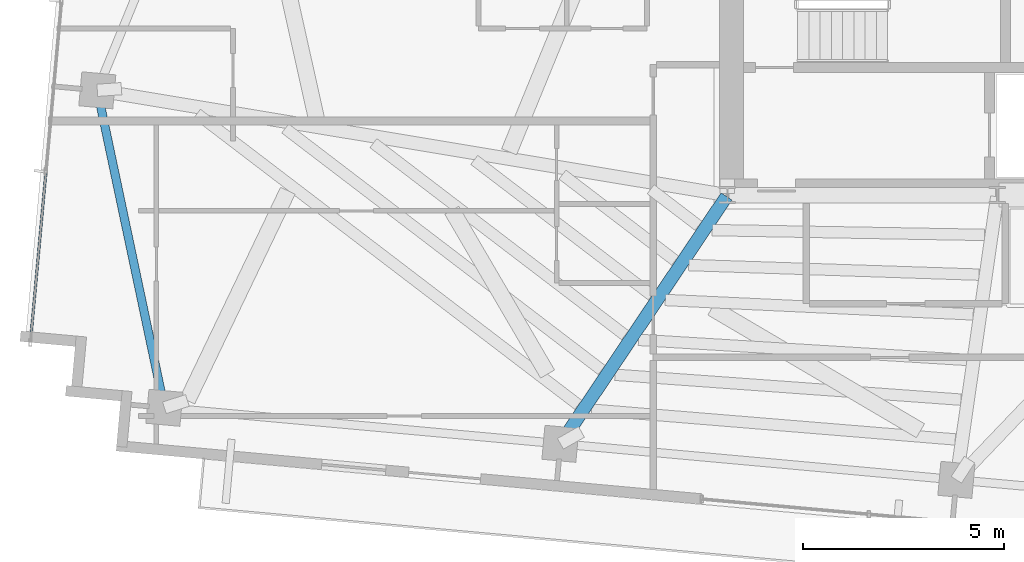
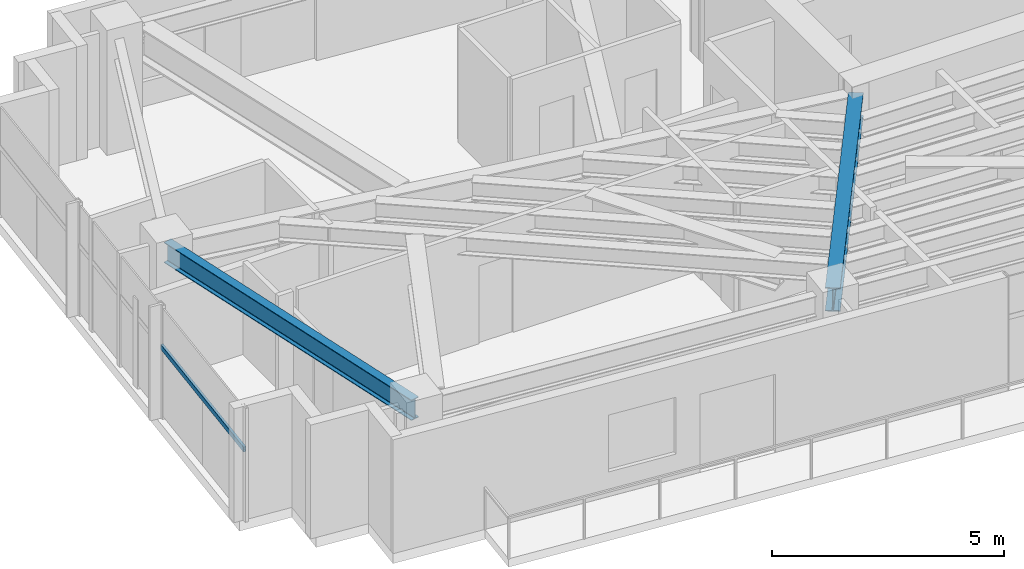
# One storey, part 3 of 22: 2 beams, 1 member, 1 element without a shape of its own.
"""IFC4 building model written with IfcOpenShell, lengths in metres."""

from ifc_helpers import new_model, si_unit, direction, frame, origin, origin_2d, place, context, subcontext, project, spatial, hollow_rectangle, i_section, extrude, source, transform, mapped, material, material_profile, profile_set, type_object, type_shapes, element, aggregate, save


model = new_model("IFC4")

# Units and contexts
model_context = context("Model", 3, precision=1e-05, world=origin(), true_north=direction((0.0, 1.0)))
body_context = subcontext(model_context, "Body", "Model", "MODEL_VIEW")
ifc_project = project(units=[si_unit("LENGTHUNIT", "METRE"), si_unit("AREAUNIT", "SQUARE_METRE"), si_unit("VOLUMEUNIT", "CUBIC_METRE"), si_unit("PLANEANGLEUNIT", "RADIAN"), si_unit("MASSUNIT", "GRAM", prefix="KILO")], contexts=[model_context])

# Site, building, storey
site_placement = place(None, origin())
site = spatial("IfcSite", under=ifc_project, at=site_placement, CompositionType="ELEMENT")
building_placement = place(site_placement, origin())
building = spatial("IfcBuilding", under=site, at=building_placement, Name="Astriad Promenade Condominiums", CompositionType="ELEMENT")
storey_placement = place(building_placement, frame((0.0, 0.0, 256.199951171875)))
storey = spatial("IfcBuildingStorey", under=building, at=storey_placement, Name="L74", CompositionType="ELEMENT", Elevation=256.199951171875)

# Beams
ifc_material_1 = material(Name="Steel ASTM A992 Grade 50", Category="steel")
ifc_material_profile_1 = material_profile(ifc_material_1, i_section(OverallWidth=0.210693359375, OverallDepth=0.53955078125, WebThickness=0.01171875, FlangeThickness=0.018798828125, FilletRadius=0.0166015625, at=origin_2d()), Name="W21X73")
ifc_profile_set_1 = profile_set([ifc_material_profile_1], Name="Steel ASTM A992 Grade 50")
beam_type_1 = type_object("IfcBeamType", Name="STEEL SPANDREL BEAM W21X73", PredefinedType="SPANDREL", material=ifc_profile_set_1)
shared_shape_1 = source(origin(), body_context, "Body", "SweptSolid", [
    extrude(i_section(OverallWidth=0.210693359375, OverallDepth=0.53955078125, WebThickness=0.01171875, FlangeThickness=0.018798828125, FilletRadius=0.0166015625, at=origin_2d()), origin(), (0.0, 0.0, 1.0), 7.99853515625),
])
type_shapes(beam_type_1, [shared_shape_1])
beam_1_placement = place(storey_placement, frame((10.719482421875, 19.97119140625, 2.73046875), z_axis=(0.206793407277, -0.978384631271, 0.0), x_axis=(0.978384631271, 0.206793407277, 0.0)))
element("IfcBeam", 1, at=beam_1_placement, inside=storey, type_object=beam_type_1, Name="Perimeter Spandrel Beam SP-W1-L74", PredefinedType="SPANDREL", context=body_context, shape_type="MappedRepresentation", body=[
    mapped(shared_shape_1, transform((0.0, 0.0, 0.0), scale=1.0)),
])
ifc_material_profile_2 = material_profile(ifc_material_1, i_section(OverallWidth=0.326416015625, OverallDepth=0.621826171875, WebThickness=0.015380859375, FlangeThickness=0.0244140625, FilletRadius=0.017822265625, at=origin_2d()), Name="W24X131")
ifc_profile_set_2 = profile_set([ifc_material_profile_2], Name="Steel ASTM A992 Grade 50")
beam_type_2 = type_object("IfcBeamType", Name="STEEL FLOOR GIRDER W24X131", PredefinedType="BEAM", material=ifc_profile_set_2)
shared_shape_2 = source(origin(), body_context, "Body", "SweptSolid", [
    extrude(i_section(OverallWidth=0.326416015625, OverallDepth=0.621826171875, WebThickness=0.015380859375, FlangeThickness=0.0244140625, FilletRadius=0.017822265625, at=origin_2d()), origin(), (0.0, 0.0, 1.0), 7.378173828125),
])
type_shapes(beam_type_2, [shared_shape_2])
beam_2_placement = place(storey_placement, frame((22.263427734375, 11.2421875, 2.689208984375), z_axis=(0.55762901545, 0.830090284926, 0.0), x_axis=(-0.830090284926, 0.55762901545, 0.0)))
element("IfcBeam", 2, at=beam_2_placement, inside=storey, type_object=beam_type_2, Name="Primary Floor Girder PG-W2-L74", PredefinedType="BEAM", context=body_context, shape_type="MappedRepresentation", body=[
    mapped(shared_shape_2, transform((0.0, 0.0, 0.0), scale=1.0)),
])

# Curtain wall, member
ifc_material_2 = material(Name="Anodised aluminium Black Dark Glass Unitised", Category="aluminium")
curtain_wall_type = type_object("IfcCurtainWallType", Name="CW-B5-DARK", PredefinedType="USERDEFINED", material=ifc_material_2)
curtain_wall_placement = place(storey_placement, origin())
curtain_wall = element("IfcCurtainWall", 3, at=curtain_wall_placement, inside=storey, type_object=curtain_wall_type, Name="CW-L74-W", ObjectType="UNITISED_CURTAIN_WALL", PredefinedType="USERDEFINED")
ifc_material_3 = material(Name="Anodised aluminium 6063-T6 Black", Category="aluminium")
ifc_material_profile_3 = material_profile(ifc_material_3, hollow_rectangle(XDim=0.06494140625, YDim=0.1298828125, WallThickness=0.00390625, at=origin_2d()), Name="ALU-TRN-65X130")
ifc_profile_set_3 = profile_set([ifc_material_profile_3], Name="Anodised aluminium 6063-T6 Black")
member_type = type_object("IfcMemberType", Name="TRN-ALU-TRN-65X130", PredefinedType="USERDEFINED", material=ifc_profile_set_3)
shared_shape_3 = source(origin(), body_context, "Body", "SweptSolid", [
    extrude(hollow_rectangle(XDim=0.06494140625, YDim=0.1298828125, WallThickness=0.00390625, at=origin_2d()), origin(), (0.0, 0.0, 1.0), 4.2666015625),
])
type_shapes(member_type, [shared_shape_3])
member_placement = place(storey_placement, frame((9.0458984375, 13.7353515625, 1.860107421875), z_axis=(0.090638931954, 0.99588382054, 0.0), x_axis=(-0.99588382054, 0.090638931954, 0.0)))
member = element("IfcMember", 4, at=member_placement, type_object=member_type, Name="CW-L74-W-TRN-00-0", ObjectType="TRANSOM", PredefinedType="USERDEFINED", context=body_context, shape_type="MappedRepresentation", body=[
    mapped(shared_shape_3, transform((0.0, 0.0, 0.0), scale=1.0)),
])
aggregate(curtain_wall, [member])

save(model, "model.ifc")
